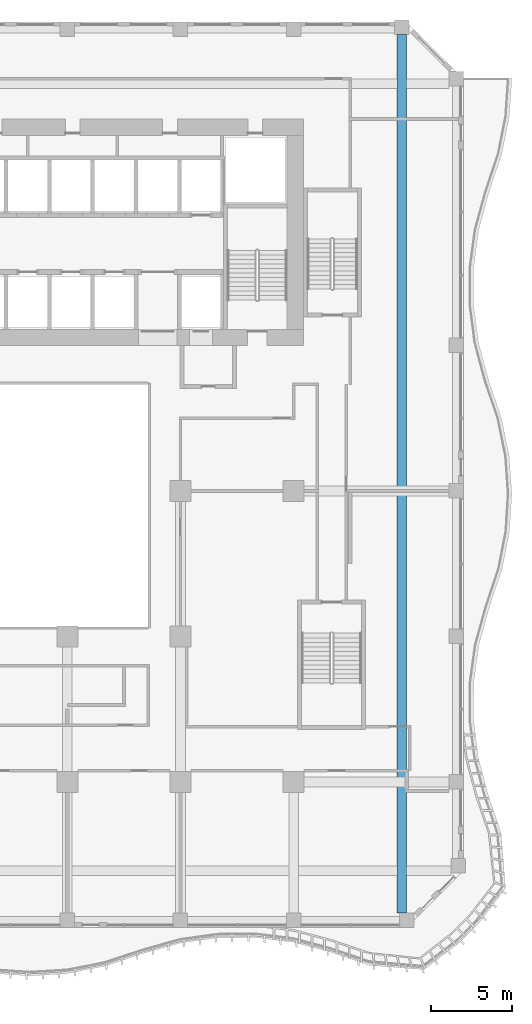
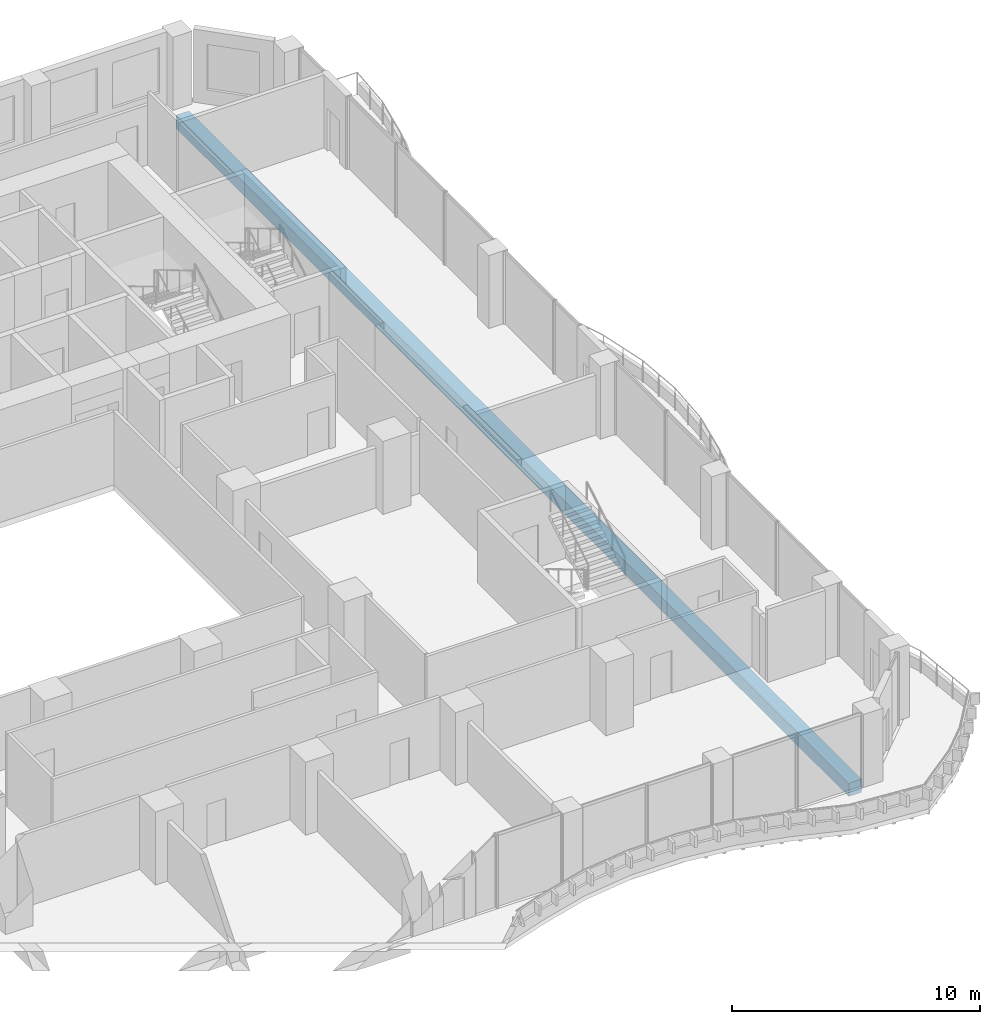
# One storey, part 7 of 23: 1 beam.
"""IFC4 building model written with IfcOpenShell, lengths in metres."""

from ifc_helpers import new_model, si_unit, direction, frame, origin, origin_2d, place, context, subcontext, project, spatial, rectangle, extrude, source, transform, mapped, material, material_profile, profile_set, type_object, element, save


model = new_model("IFC4")

# Units and contexts
model_context = context("Model", 3, precision=1e-05, world=origin(), true_north=direction((0.0, 1.0)))
body_context = subcontext(model_context, "Body", "Model", "MODEL_VIEW")
ifc_project = project(units=[si_unit("LENGTHUNIT", "METRE"), si_unit("AREAUNIT", "SQUARE_METRE"), si_unit("VOLUMEUNIT", "CUBIC_METRE"), si_unit("PLANEANGLEUNIT", "RADIAN"), si_unit("MASSUNIT", "GRAM", prefix="KILO")], contexts=[model_context])

# Site, building, storey
site_placement = place(None, origin())
site = spatial("IfcSite", under=ifc_project, at=site_placement, CompositionType="ELEMENT")
building_placement = place(site_placement, origin())
building = spatial("IfcBuilding", under=site, at=building_placement, Name="Kilnfold Tower and Market Hall", CompositionType="ELEMENT")
storey_placement = place(building_placement, frame((0.0, 0.0, 55.0)))
storey = spatial("IfcBuildingStorey", under=building, at=storey_placement, Name="L12", CompositionType="ELEMENT", Elevation=55.0)

# Beam
ifc_material = material(Name="Concrete C45", Category="concrete")
ifc_material_profile = material_profile(ifc_material, rectangle(XDim=0.60009765625, YDim=0.64990234375, at=origin_2d()), Name="RC 600x650")
ifc_profile_set = profile_set([ifc_material_profile], Name="Concrete C45")
beam_type = type_object("IfcBeamType", Name="BEAM 600X650 C45", PredefinedType="BEAM", material=ifc_profile_set)
shared_shape = source(origin(), body_context, "Body", "SweptSolid", [
    extrude(rectangle(XDim=0.60009765625, YDim=0.64990234375, at=origin_2d()), origin(), (0.0, 0.0, 1.0), 54.331787109375),
])
beam_placement = place(storey_placement, frame((24.179931640625, -27.10009765625, -0.60498046875), z_axis=(0.0, 1.0, 0.0), x_axis=(-1.0, 0.0, 0.0)))
element("IfcBeam", 1, at=beam_placement, inside=storey, type_object=beam_type, Name="Beam BB650-B1.57", PredefinedType="BEAM", context=body_context, shape_type="MappedRepresentation", body=[
    mapped(shared_shape, transform((0.0, 0.0, 0.0))),
])

save(model, "model.ifc")
